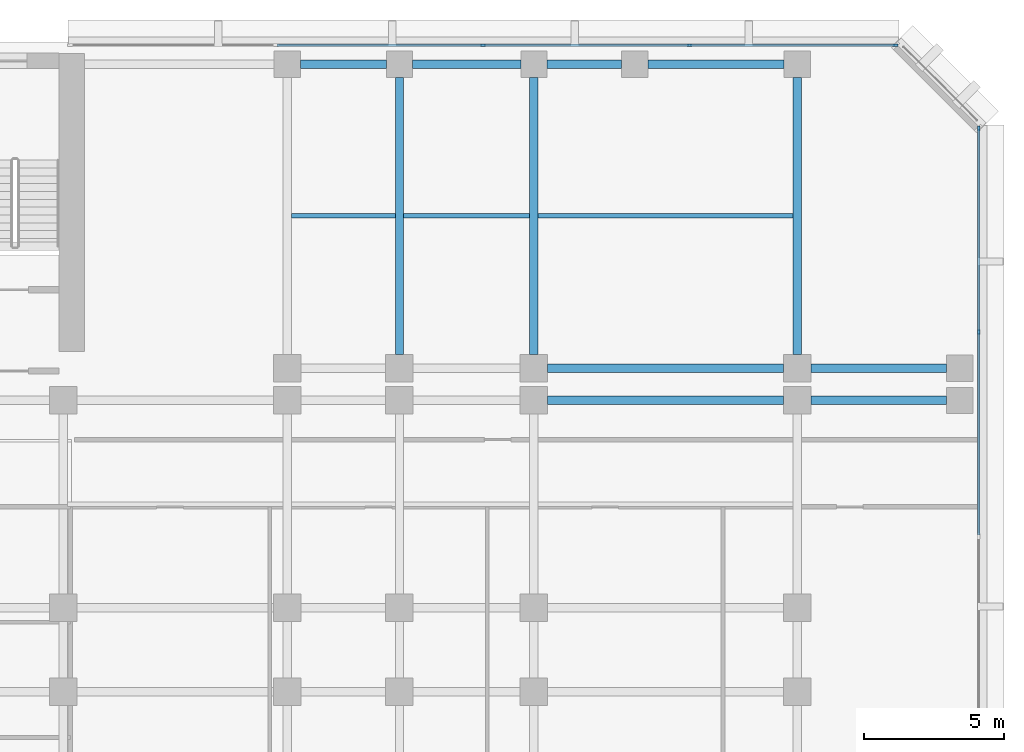
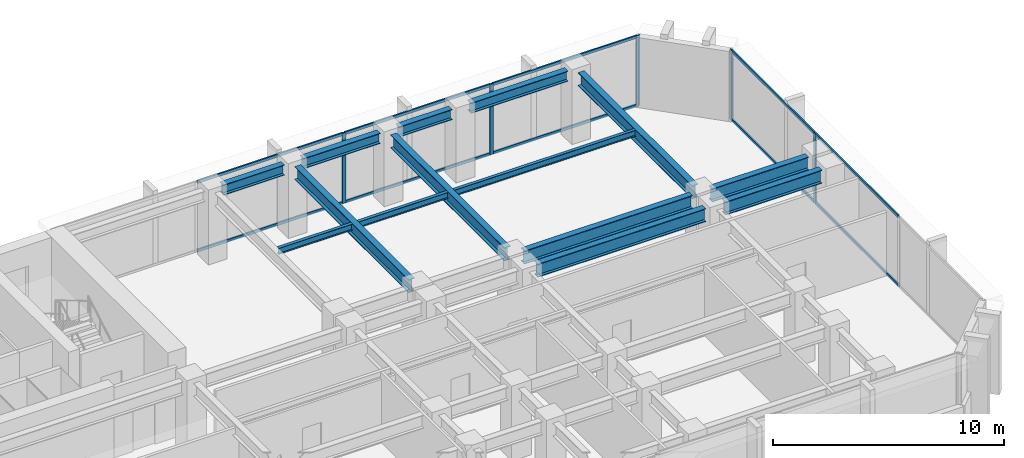
# One storey, part 5 of 13: 15 members, 14 beams, 2 elements without a shape of their own.
"""IFC4 building model written with IfcOpenShell, lengths in metres."""

from ifc_helpers import new_model, si_unit, direction, frame, origin, origin_2d, place, context, subcontext, project, spatial, rectangle, i_section, extrude, material, layer, layer_set, material_profile, profile_set, type_object, element, aggregate, save


model = new_model("IFC4")

# Units and contexts
model_context = context("Model", 3, precision=1e-05, world=origin(), true_north=direction((0.0, 1.0)))
body_context = subcontext(model_context, "Body", "Model", "MODEL_VIEW")
ifc_project = project(units=[si_unit("LENGTHUNIT", "METRE"), si_unit("AREAUNIT", "SQUARE_METRE"), si_unit("VOLUMEUNIT", "CUBIC_METRE"), si_unit("PLANEANGLEUNIT", "RADIAN"), si_unit("MASSUNIT", "GRAM", prefix="KILO")], contexts=[model_context])

# Site, building, storey
site_placement = place(None, origin())
site = spatial("IfcSite", under=ifc_project, at=site_placement, CompositionType="ELEMENT")
building_placement = place(site_placement, origin())
building = spatial("IfcBuilding", under=site, at=building_placement, Name="Kefirva Bronze Tower", CompositionType="ELEMENT")
storey_placement = place(building_placement, frame((0.0, 0.0, 81.840087890625)))
storey = spatial("IfcBuildingStorey", under=building, at=storey_placement, Name="L19", CompositionType="ELEMENT", Elevation=81.840087890625)

# Curtain wall, members
ifc_material_1 = material(Name="Bronze anodised aluminium", Category="aluminium")
ifc_layer = layer(ifc_material_1, 0.199951171875, Name="Bronze anodised aluminium")
ifc_layer_set = layer_set([ifc_layer], Name="Bronze anodised aluminium")
curtain_wall_type = type_object("IfcCurtainWallType", Name="Unitised Bronze Ribbon Curtain Wall Zone 1", PredefinedType="USERDEFINED", material=ifc_layer_set)
curtain_wall_1_placement = place(storey_placement, origin())
curtain_wall_1 = element("IfcCurtainWall", 1, at=curtain_wall_1_placement, inside=storey, type_object=curtain_wall_type, Name="L19 Curtain Wall 3", ObjectType="UNITISED CURTAIN WALL", PredefinedType="USERDEFINED")
ifc_material_profile_1 = material_profile(ifc_material_1, rectangle(XDim=0.074951171875, YDim=0.179931640625, at=origin_2d()), Name="ALU 75x180")
ifc_profile_set_1 = profile_set([ifc_material_profile_1], Name="Bronze anodised aluminium")
member_type_1 = type_object("IfcMemberType", Name="Bronze Mullion 75x180", PredefinedType="MULLION", material=ifc_profile_set_1)
member_1_placement = place(storey_placement, frame((55.8798828125, 35.6484375, 0.0), z_axis=(0.0, 0.0, 1.0), x_axis=(-1.0, 0.0, 0.0)))
member_1 = element("IfcMember", 2, at=member_1_placement, type_object=member_type_1, Name="CW-01 mullion 3", PredefinedType="MULLION", context=body_context, shape_type="SweptSolid", body=[
    extrude(rectangle(XDim=0.074951171875, YDim=0.179931640625, at=origin_2d()), origin(), (0.0, 0.0, 1.0), 3.7099609375),
])
member_2_placement = place(storey_placement, frame((55.8798828125, 42.907470703125, 0.0), z_axis=(0.0, 0.0, 1.0), x_axis=(-1.0, 0.0, 0.0)))
member_2 = element("IfcMember", 3, at=member_2_placement, type_object=member_type_1, Name="CW-01 mullion 4", PredefinedType="MULLION", context=body_context, shape_type="SweptSolid", body=[
    extrude(rectangle(XDim=0.074951171875, YDim=0.179931640625, at=origin_2d()), origin(), (0.0, 0.0, 1.0), 3.7099609375),
])

curtain_wall_2_placement = place(storey_placement, origin())
curtain_wall_2 = element("IfcCurtainWall", 4, at=curtain_wall_2_placement, inside=storey, type_object=curtain_wall_type, Name="L19 Curtain Wall 4", ObjectType="UNITISED CURTAIN WALL", PredefinedType="USERDEFINED")
member_3_placement = place(storey_placement, frame((52.907470703125, 45.8798828125, 0.0), z_axis=(0.0, 0.0, 1.0), x_axis=(0.0, -1.0, 0.0)))
member_3 = element("IfcMember", 5, at=member_3_placement, type_object=member_type_1, Name="CW-01 mullion 1", PredefinedType="MULLION", context=body_context, shape_type="SweptSolid", body=[
    extrude(rectangle(XDim=0.074951171875, YDim=0.179931640625, at=origin_2d()), origin(), (0.0, 0.0, 1.0), 3.7099609375),
])
member_4_placement = place(storey_placement, frame((45.56005859375, 45.8798828125, 0.0), z_axis=(0.0, 0.0, 1.0), x_axis=(0.0, -1.0, 0.0)))
member_4 = element("IfcMember", 6, at=member_4_placement, type_object=member_type_1, Name="CW-01 mullion 2", PredefinedType="MULLION", context=body_context, shape_type="SweptSolid", body=[
    extrude(rectangle(XDim=0.074951171875, YDim=0.179931640625, at=origin_2d()), origin(), (0.0, 0.0, 1.0), 3.7099609375),
])
member_5_placement = place(storey_placement, frame((38.175048828125, 45.8798828125, 0.0), z_axis=(0.0, 0.0, 1.0), x_axis=(0.0, -1.0, 0.0)))
member_5 = element("IfcMember", 7, at=member_5_placement, type_object=member_type_1, Name="CW-01 mullion 3", PredefinedType="MULLION", context=body_context, shape_type="SweptSolid", body=[
    extrude(rectangle(XDim=0.074951171875, YDim=0.179931640625, at=origin_2d()), origin(), (0.0, 0.0, 1.0), 3.7099609375),
])

# Member
ifc_material_profile_2 = material_profile(ifc_material_1, rectangle(XDim=0.074951171875, YDim=0.14990234375, at=origin_2d()), Name="ALU 75x150")
ifc_profile_set_2 = profile_set([ifc_material_profile_2], Name="Bronze anodised aluminium")
member_type_2 = type_object("IfcMemberType", Name="Bronze Transom 75x150", PredefinedType="USERDEFINED", material=ifc_profile_set_2)
member_6_placement = place(storey_placement, frame((55.8798828125, 28.38916015625, 0.037353515625), z_axis=(0.0, 1.0, 0.0), x_axis=(-1.0, 0.0, 0.0)))
member_6 = element("IfcMember", 8, at=member_6_placement, type_object=member_type_2, Name="CW-01 transom 2.1", ObjectType="TRANSOM", PredefinedType="USERDEFINED", context=body_context, shape_type="SweptSolid", body=[
    extrude(rectangle(XDim=0.074951171875, YDim=0.14990234375, at=origin_2d()), origin(), (0.0, 0.0, 1.0), 7.2216796875),
])

member_7_placement = place(storey_placement, frame((55.8798828125, 28.38916015625, 3.67236328125), z_axis=(0.0, 1.0, 0.0), x_axis=(-1.0, 0.0, 0.0)))
member_7 = element("IfcMember", 9, at=member_7_placement, type_object=member_type_2, Name="CW-01 transom 2.2", ObjectType="TRANSOM", PredefinedType="USERDEFINED", context=body_context, shape_type="SweptSolid", body=[
    extrude(rectangle(XDim=0.074951171875, YDim=0.14990234375, at=origin_2d()), origin(), (0.0, 0.0, 1.0), 7.2216796875),
])

member_8_placement = place(storey_placement, frame((55.8798828125, 35.685791015625, 0.037353515625), z_axis=(0.0, 1.0, 0.0), x_axis=(-1.0, 0.0, 0.0)))
member_8 = element("IfcMember", 10, at=member_8_placement, type_object=member_type_2, Name="CW-01 transom 3.1", ObjectType="TRANSOM", PredefinedType="USERDEFINED", context=body_context, shape_type="SweptSolid", body=[
    extrude(rectangle(XDim=0.074951171875, YDim=0.14990234375, at=origin_2d()), origin(), (0.0, 0.0, 1.0), 7.184326171875),
])

member_9_placement = place(storey_placement, frame((55.8798828125, 35.685791015625, 3.67236328125), z_axis=(0.0, 1.0, 0.0), x_axis=(-1.0, 0.0, 0.0)))
member_9 = element("IfcMember", 11, at=member_9_placement, type_object=member_type_2, Name="CW-01 transom 3.2", ObjectType="TRANSOM", PredefinedType="USERDEFINED", context=body_context, shape_type="SweptSolid", body=[
    extrude(rectangle(XDim=0.074951171875, YDim=0.14990234375, at=origin_2d()), origin(), (0.0, 0.0, 1.0), 7.184326171875),
])

aggregate(curtain_wall_1, [member_1, member_2, member_6, member_7, member_8, member_9])

member_10_placement = place(storey_placement, frame((52.8701171875, 45.8798828125, 0.037353515625), z_axis=(-1.0, 0.0, 0.0), x_axis=(0.0, -1.0, 0.0)))
member_10 = element("IfcMember", 12, at=member_10_placement, type_object=member_type_2, Name="CW-01 transom 1.1", ObjectType="TRANSOM", PredefinedType="USERDEFINED", context=body_context, shape_type="SweptSolid", body=[
    extrude(rectangle(XDim=0.074951171875, YDim=0.14990234375, at=origin_2d()), origin(), (0.0, 0.0, 1.0), 7.272705078125),
])

member_11_placement = place(storey_placement, frame((52.8701171875, 45.8798828125, 3.67236328125), z_axis=(-1.0, 0.0, 0.0), x_axis=(0.0, -1.0, 0.0)))
member_11 = element("IfcMember", 13, at=member_11_placement, type_object=member_type_2, Name="CW-01 transom 1.2", ObjectType="TRANSOM", PredefinedType="USERDEFINED", context=body_context, shape_type="SweptSolid", body=[
    extrude(rectangle(XDim=0.074951171875, YDim=0.14990234375, at=origin_2d()), origin(), (0.0, 0.0, 1.0), 7.272705078125),
])

member_12_placement = place(storey_placement, frame((45.5224609375, 45.8798828125, 0.037353515625), z_axis=(-1.0, 0.0, 0.0), x_axis=(0.0, -1.0, 0.0)))
member_12 = element("IfcMember", 14, at=member_12_placement, type_object=member_type_2, Name="CW-01 transom 2.1", ObjectType="TRANSOM", PredefinedType="USERDEFINED", context=body_context, shape_type="SweptSolid", body=[
    extrude(rectangle(XDim=0.074951171875, YDim=0.14990234375, at=origin_2d()), origin(), (0.0, 0.0, 1.0), 7.31005859375),
])

member_13_placement = place(storey_placement, frame((45.5224609375, 45.8798828125, 3.67236328125), z_axis=(-1.0, 0.0, 0.0), x_axis=(0.0, -1.0, 0.0)))
member_13 = element("IfcMember", 15, at=member_13_placement, type_object=member_type_2, Name="CW-01 transom 2.2", ObjectType="TRANSOM", PredefinedType="USERDEFINED", context=body_context, shape_type="SweptSolid", body=[
    extrude(rectangle(XDim=0.074951171875, YDim=0.14990234375, at=origin_2d()), origin(), (0.0, 0.0, 1.0), 7.31005859375),
])

member_14_placement = place(storey_placement, frame((38.137451171875, 45.8798828125, 0.037353515625), z_axis=(-1.0, 0.0, 0.0), x_axis=(0.0, -1.0, 0.0)))
member_14 = element("IfcMember", 16, at=member_14_placement, type_object=member_type_2, Name="CW-01 transom 3.1", ObjectType="TRANSOM", PredefinedType="USERDEFINED", context=body_context, shape_type="SweptSolid", body=[
    extrude(rectangle(XDim=0.074951171875, YDim=0.14990234375, at=origin_2d()), origin(), (0.0, 0.0, 1.0), 7.31005859375),
])

member_15_placement = place(storey_placement, frame((38.137451171875, 45.8798828125, 3.67236328125), z_axis=(-1.0, 0.0, 0.0), x_axis=(0.0, -1.0, 0.0)))
member_15 = element("IfcMember", 17, at=member_15_placement, type_object=member_type_2, Name="CW-01 transom 3.2", ObjectType="TRANSOM", PredefinedType="USERDEFINED", context=body_context, shape_type="SweptSolid", body=[
    extrude(rectangle(XDim=0.074951171875, YDim=0.14990234375, at=origin_2d()), origin(), (0.0, 0.0, 1.0), 7.31005859375),
])

aggregate(curtain_wall_2, [member_3, member_4, member_5, member_10, member_11, member_12, member_13, member_14, member_15])

# Beams
ifc_material_2 = material(Name="Steel S355", Category="steel")
ifc_material_profile_3 = material_profile(ifc_material_2, i_section(OverallWidth=0.159912109375, OverallDepth=0.330078125, WebThickness=0.007568359375, FlangeThickness=0.011474609375, at=origin_2d()), Name="IPE 330")
ifc_profile_set_3 = profile_set([ifc_material_profile_3], Name="Steel S355")
beam_type_1 = type_object("IfcBeamType", Name="Steel Floor Joist IPE 330", PredefinedType="JOIST", material=ifc_profile_set_3)
beam_1_placement = place(storey_placement, frame((31.35009765625, 39.784912109375, 3.544921875), z_axis=(1.0, 0.0, 0.0), x_axis=(0.0, 1.0, 0.0)))
element("IfcBeam", 18, at=beam_1_placement, inside=storey, type_object=beam_type_1, Name="L19 JST-L19-31-397", PredefinedType="JOIST", context=body_context, shape_type="SweptSolid", body=[
    extrude(i_section(OverallWidth=0.159912109375, OverallDepth=0.330078125, WebThickness=0.007568359375, FlangeThickness=0.011474609375, at=origin_2d()), origin(), (0.0, 0.0, 1.0), 3.699951171875),
])
beam_2_placement = place(storey_placement, frame((35.35009765625, 39.784912109375, 3.544921875), z_axis=(1.0, 0.0, 0.0), x_axis=(0.0, 1.0, 0.0)))
element("IfcBeam", 19, at=beam_2_placement, inside=storey, type_object=beam_type_1, Name="L19 JST-L19-35-397", PredefinedType="JOIST", context=body_context, shape_type="SweptSolid", body=[
    extrude(i_section(OverallWidth=0.159912109375, OverallDepth=0.330078125, WebThickness=0.007568359375, FlangeThickness=0.011474609375, at=origin_2d()), origin(), (0.0, 0.0, 1.0), 4.5),
])
beam_3_placement = place(storey_placement, frame((40.14990234375, 39.784912109375, 3.544921875), z_axis=(1.0, 0.0, 0.0), x_axis=(0.0, 1.0, 0.0)))
element("IfcBeam", 20, at=beam_3_placement, inside=storey, type_object=beam_type_1, Name="L19 JST-L19-40-397", PredefinedType="JOIST", context=body_context, shape_type="SweptSolid", body=[
    extrude(i_section(OverallWidth=0.159912109375, OverallDepth=0.330078125, WebThickness=0.007568359375, FlangeThickness=0.011474609375, at=origin_2d()), origin(), (0.0, 0.0, 1.0), 9.10009765625),
])
ifc_material_profile_4 = material_profile(ifc_material_2, i_section(OverallWidth=0.300048828125, OverallDepth=0.699951171875, WebThickness=0.01708984375, FlangeThickness=0.031982421875, at=origin_2d()), Name="HEB 700")
ifc_profile_set_4 = profile_set([ifc_material_profile_4], Name="Steel S355")
beam_type_2 = type_object("IfcBeamType", Name="Steel Girder HEB 700", PredefinedType="USERDEFINED", material=ifc_profile_set_4)
beam_4_placement = place(storey_placement, frame((40.489990234375, 33.199951171875, 3.35986328125), z_axis=(1.0, 0.0, 0.0), x_axis=(0.0, 1.0, 0.0)))
element("IfcBeam", 21, at=beam_4_placement, inside=storey, type_object=beam_type_2, Name="L19 BM-L19-EW-40-332", ObjectType="GIRDER", PredefinedType="USERDEFINED", context=body_context, shape_type="SweptSolid", body=[
    extrude(i_section(OverallWidth=0.300048828125, OverallDepth=0.699951171875, WebThickness=0.01708984375, FlangeThickness=0.031982421875, at=origin_2d()), origin(), (0.0, 0.0, 1.0), 8.419921875),
])
beam_5_placement = place(storey_placement, frame((49.889892578125, 33.199951171875, 3.35986328125), z_axis=(1.0, 0.0, 0.0), x_axis=(0.0, 1.0, 0.0)))
element("IfcBeam", 22, at=beam_5_placement, inside=storey, type_object=beam_type_2, Name="L19 BM-L19-EW-49-332", ObjectType="GIRDER", PredefinedType="USERDEFINED", context=body_context, shape_type="SweptSolid", body=[
    extrude(i_section(OverallWidth=0.300048828125, OverallDepth=0.699951171875, WebThickness=0.01708984375, FlangeThickness=0.031982421875, at=origin_2d()), origin(), (0.0, 0.0, 1.0), 4.840087890625),
])
beam_6_placement = place(storey_placement, frame((40.489990234375, 34.35009765625, 3.35986328125), z_axis=(1.0, 0.0, 0.0), x_axis=(0.0, 1.0, 0.0)))
element("IfcBeam", 23, at=beam_6_placement, inside=storey, type_object=beam_type_2, Name="L19 BM-L19-EW-40-344", ObjectType="GIRDER", PredefinedType="USERDEFINED", context=body_context, shape_type="SweptSolid", body=[
    extrude(i_section(OverallWidth=0.300048828125, OverallDepth=0.699951171875, WebThickness=0.01708984375, FlangeThickness=0.031982421875, at=origin_2d()), origin(), (0.0, 0.0, 1.0), 8.419921875),
])
beam_7_placement = place(storey_placement, frame((49.889892578125, 34.35009765625, 3.35986328125), z_axis=(1.0, 0.0, 0.0), x_axis=(0.0, 1.0, 0.0)))
element("IfcBeam", 24, at=beam_7_placement, inside=storey, type_object=beam_type_2, Name="L19 BM-L19-EW-49-344", ObjectType="GIRDER", PredefinedType="USERDEFINED", context=body_context, shape_type="SweptSolid", body=[
    extrude(i_section(OverallWidth=0.300048828125, OverallDepth=0.699951171875, WebThickness=0.01708984375, FlangeThickness=0.031982421875, at=origin_2d()), origin(), (0.0, 0.0, 1.0), 4.840087890625),
])
for number, where, z_axis, x_axis, name in (
    (25, (35.199951171875, 34.840087890625, 3.35986328125), (0.0, 1.0, 0.0), (-1.0, 0.0, 0.0), "L19 BM-L19-NS-352-34"),
    (26, (40.0, 34.840087890625, 3.35986328125), (0.0, 1.0, 0.0), (-1.0, 0.0, 0.0), "L19 BM-L19-NS-400-34"),
    (27, (49.39990234375, 34.840087890625, 3.35986328125), (0.0, 1.0, 0.0), (-1.0, 0.0, 0.0), "L19 BM-L19-NS-494-34"),
):
    element("IfcBeam", number, at=place(storey_placement, frame(where, z_axis=z_axis, x_axis=x_axis)), inside=storey, type_object=beam_type_2, Name=name, ObjectType="GIRDER", PredefinedType="USERDEFINED", context=body_context, shape_type="SweptSolid", body=[
        extrude(i_section(OverallWidth=0.300048828125, OverallDepth=0.699951171875, WebThickness=0.01708984375, FlangeThickness=0.031982421875, at=origin_2d()), origin(), (0.0, 0.0, 1.0), 9.889892578125),
    ])
ifc_material_profile_5 = material_profile(ifc_material_2, i_section(OverallWidth=0.300048828125, OverallDepth=0.550048828125, WebThickness=0.014892578125, FlangeThickness=0.029052734375, at=origin_2d()), Name="HEB 550")
ifc_profile_set_5 = profile_set([ifc_material_profile_5], Name="Steel S355")
beam_type_3 = type_object("IfcBeamType", Name="Steel Spandrel HEB 550 Ext", PredefinedType="SPANDREL", material=ifc_profile_set_5)
beam_8_placement = place(storey_placement, frame((31.669921875, 45.199951171875, 3.434814453125), z_axis=(1.0, 0.0, 0.0), x_axis=(0.0, 1.0, 0.0)))
element("IfcBeam", 28, at=beam_8_placement, inside=storey, type_object=beam_type_3, Name="L19 BM-L19-EW-31-452", PredefinedType="SPANDREL", context=body_context, shape_type="SweptSolid", body=[
    extrude(i_section(OverallWidth=0.300048828125, OverallDepth=0.550048828125, WebThickness=0.014892578125, FlangeThickness=0.029052734375, at=origin_2d()), origin(), (0.0, 0.0, 1.0), 3.06005859375),
])
beam_9_placement = place(storey_placement, frame((35.669921875, 45.199951171875, 3.434814453125), z_axis=(1.0, 0.0, 0.0), x_axis=(0.0, 1.0, 0.0)))
element("IfcBeam", 29, at=beam_9_placement, inside=storey, type_object=beam_type_3, Name="L19 BM-L19-EW-35-452", PredefinedType="SPANDREL", context=body_context, shape_type="SweptSolid", body=[
    extrude(i_section(OverallWidth=0.300048828125, OverallDepth=0.550048828125, WebThickness=0.014892578125, FlangeThickness=0.029052734375, at=origin_2d()), origin(), (0.0, 0.0, 1.0), 3.860107421875),
])
beam_10_placement = place(storey_placement, frame((40.469970703125, 45.199951171875, 3.434814453125), z_axis=(1.0, 0.0, 0.0), x_axis=(0.0, 1.0, 0.0)))
element("IfcBeam", 30, at=beam_10_placement, inside=storey, type_object=beam_type_3, Name="L19 BM-L19-EW-40-452", PredefinedType="SPANDREL", context=body_context, shape_type="SweptSolid", body=[
    extrude(i_section(OverallWidth=0.300048828125, OverallDepth=0.550048828125, WebThickness=0.014892578125, FlangeThickness=0.029052734375, at=origin_2d()), origin(), (0.0, 0.0, 1.0), 2.659912109375),
])
beam_11_placement = place(storey_placement, frame((44.070068359375, 45.199951171875, 3.434814453125), z_axis=(1.0, 0.0, 0.0), x_axis=(0.0, 1.0, 0.0)))
element("IfcBeam", 31, at=beam_11_placement, inside=storey, type_object=beam_type_3, Name="L19 BM-L19-EW-43-452", PredefinedType="SPANDREL", context=body_context, shape_type="SweptSolid", body=[
    extrude(i_section(OverallWidth=0.300048828125, OverallDepth=0.550048828125, WebThickness=0.014892578125, FlangeThickness=0.029052734375, at=origin_2d()), origin(), (0.0, 0.0, 1.0), 4.85986328125),
])

save(model, "model.ifc")
